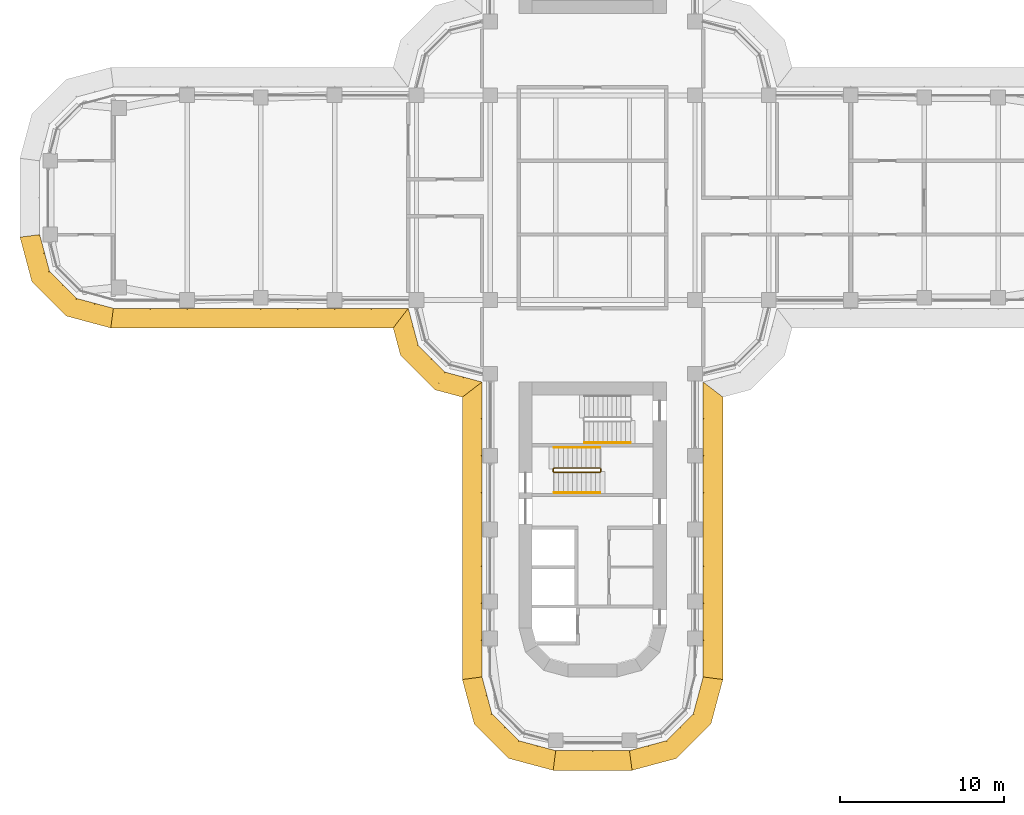
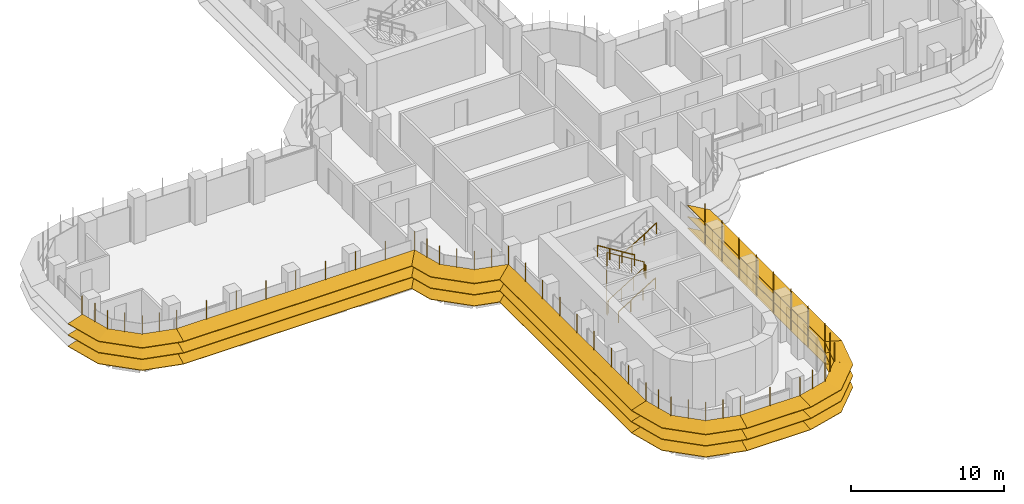
# One storey, part 19 of 22: 8 shading devices, 4 railings.
"""IFC4 building model written with IfcOpenShell, lengths in metres."""

import ifcopenshell
import ifcopenshell.guid

model = None  # the IFC model being written
_history = None  # IfcOwnerHistory: only IFC2X3 demands one
_inside = {}  # id of a spatial element -> (the spatial element, [elements in it])
_under = {}  # id of a project, library or spatial element -> (it, [spatial elements below it])
_declared = {}  # id of a project -> (the project, [libraries it declares])
_typed = {}  # id of a type object -> (the type object, [elements of that type])
_made_of = {}  # id of a material, layer set ... -> (it, [elements and type objects made of it])


def new_model(schema):
    """Start an empty IFC model of exactly this schema.

    Asked for "IFC4X3", IfcOpenShell would pick the latest addendum, in which some entities
    have other attributes; the version numbers below select the first issue.
    IFC2X3 requires an IfcOwnerHistory on every rooted entity: one is made here for all.
    """
    global model, _history
    if schema == "IFC4X3":
        model = ifcopenshell.file(schema_version=(4, 3, 0, 0))
    else:
        model = ifcopenshell.file(schema=schema)
    _inside.clear()
    _under.clear()
    _declared.clear()
    _typed.clear()
    _made_of.clear()
    _history = None
    if model.schema == "IFC2X3":
        org = make("IfcOrganization", Name="unknown")
        user = make(
            "IfcPersonAndOrganization",
            ThePerson=make("IfcPerson", FamilyName="unknown"),
            TheOrganization=org,
        )
        app = make(
            "IfcApplication",
            ApplicationDeveloper=org,
            Version="unknown",
            ApplicationFullName="unknown",
            ApplicationIdentifier="unknown",
        )
        _history = make(
            "IfcOwnerHistory",
            OwningUser=user,
            OwningApplication=app,
            ChangeAction="ADDED",
            CreationDate=0,
        )
    return model


def make(cls, **values):
    """One entity of the class cls with the attributes given. An attribute that is None is left unset."""
    return model.create_entity(
        cls, **{name: value for name, value in values.items() if value is not None}
    )


def rooted(cls, **values):
    """An entity with a GlobalId (a new one), such as an element, a storey or a relation."""
    return make(cls, GlobalId=ifcopenshell.guid.new(), OwnerHistory=_history, **values)


def si_unit(unit_type, name, prefix=None):
    """IfcSIUnit, for example si_unit("LENGTHUNIT", "METRE", prefix="MILLI")."""
    return make("IfcSIUnit", UnitType=unit_type, Prefix=prefix, Name=name)


def assignment(units):
    """IfcUnitAssignment: the units of a project."""
    return None if units is None else make("IfcUnitAssignment", Units=units)


def point(xyz):
    """IfcCartesianPoint."""
    return None if xyz is None else make("IfcCartesianPoint", Coordinates=xyz)


def direction(xyz):
    """IfcDirection."""
    return None if xyz is None else make("IfcDirection", DirectionRatios=xyz)


def frame(location, z_axis=None, x_axis=None):
    """IfcAxis2Placement3D, a coordinate frame: its origin and axes. An axis left out is left unset."""
    return make(
        "IfcAxis2Placement3D",
        Location=point(location),
        Axis=direction(z_axis),
        RefDirection=direction(x_axis),
    )


def frame_2d(location, x_axis=None):
    """IfcAxis2Placement2D, a coordinate frame in the plane: its origin and x axis."""
    return make(
        "IfcAxis2Placement2D", Location=point(location), RefDirection=direction(x_axis)
    )


def origin():
    """The frame at (0, 0, 0) with its axes left unset."""
    return frame((0.0, 0.0, 0.0))


def origin_2d():
    """The frame at (0, 0) in the plane with its x axis left unset."""
    return frame_2d((0.0, 0.0))


def place(relative_to, where):
    """IfcLocalPlacement: puts the frame where relative to a parent placement (None: the world)."""
    return make(
        "IfcLocalPlacement", PlacementRelTo=relative_to, RelativePlacement=where
    )


def context(
    kind, dimensions, precision=None, world=None, true_north=None, identifier=None
):
    """IfcGeometricRepresentationContext, for example the 3D "Model" context."""
    return make(
        "IfcGeometricRepresentationContext",
        ContextIdentifier=identifier,
        ContextType=kind,
        CoordinateSpaceDimension=dimensions,
        Precision=precision,
        WorldCoordinateSystem=world,
        TrueNorth=true_north,
    )


def subcontext(parent, identifier, kind, view, scale=None):
    """IfcGeometricRepresentationSubContext, for example "Body" below "Model"."""
    return make(
        "IfcGeometricRepresentationSubContext",
        ContextIdentifier=identifier,
        ContextType=kind,
        ParentContext=parent,
        TargetScale=scale,
        TargetView=view,
    )


def project(units=None, contexts=None):
    """IfcProject with its units and contexts."""
    return rooted(
        "IfcProject",
        Name="project",
        RepresentationContexts=contexts,
        UnitsInContext=assignment(units),
    )


def spatial(cls, under=None, at=None, **own):
    """A site, building, storey or space (cls), placed at a placement, below another one or the project."""
    s = rooted(cls, ObjectPlacement=at, **own)
    if under is not None:
        _under.setdefault(under.id(), (under, []))[1].append(s)
    return s


def polyline(points):
    """IfcPolyline through the points."""
    return make("IfcPolyline", Points=[point(p) for p in points])


def profile(cls, at=None, kind="AREA", **sizes):
    """A parametric profile (cls). Its sizes go by their IFC names, for example OverallWidth=200.0."""
    return make(cls, ProfileType=kind, Position=at, **sizes)


def circle(**sizes):
    """IfcCircleProfileDef."""
    return profile("IfcCircleProfileDef", **sizes)


def outline(outer, holes=None, kind="AREA"):
    """IfcArbitraryClosedProfileDef: a profile drawn as a closed curve; with holes, ...WithVoids."""
    if holes is None:
        return make("IfcArbitraryClosedProfileDef", ProfileType=kind, OuterCurve=outer)
    return make(
        "IfcArbitraryProfileDefWithVoids",
        ProfileType=kind,
        OuterCurve=outer,
        InnerCurves=holes,
    )


def extrude(swept, where, along, depth):
    """IfcExtrudedAreaSolid: the profile swept, set in the frame where, extruded along a direction by depth."""
    return make(
        "IfcExtrudedAreaSolid",
        SweptArea=swept,
        Position=where,
        ExtrudedDirection=direction(along),
        Depth=depth,
    )


def faces_of(points, faces, orient=None, outer=None):
    """IfcFace entities. A face is a list of loops; a loop is a list of indices into points, from 0.

    orient and outer hold one flag for each loop. By default every Orientation is true, the
    first loop of a face is its IfcFaceOuterBound and the others are IfcFaceBound.
    """
    made = []
    for i, loops in enumerate(faces):
        bounds = []
        for j, loop in enumerate(loops):
            is_outer = j == 0 if outer is None else outer[i][j]
            bounds.append(
                make(
                    "IfcFaceOuterBound" if is_outer else "IfcFaceBound",
                    Bound=make("IfcPolyLoop", Polygon=[points[k] for k in loop]),
                    Orientation=True if orient is None else orient[i][j],
                )
            )
        made.append(make("IfcFace", Bounds=bounds))
    return made


def faceted_brep(points, faces, orient=None, outer=None, voids=None):
    """IfcFacetedBrep: a solid bounded by flat faces; with voids (closed shells), ...WithVoids."""
    shared = [point(p) for p in points]
    hull = make("IfcClosedShell", CfsFaces=faces_of(shared, faces, orient, outer))
    if voids is None:
        return make("IfcFacetedBrep", Outer=hull)
    return make(
        "IfcFacetedBrepWithVoids",
        Outer=hull,
        Voids=[
            make(cls, CfsFaces=faces_of(shared, fs, o, b)) for cls, fs, o, b in voids
        ],
    )


def shape(context_of_items, identifier, shape_type, items):
    """IfcShapeRepresentation: the items that make up one representation, for example the "Body"."""
    return make(
        "IfcShapeRepresentation",
        ContextOfItems=context_of_items,
        RepresentationIdentifier=identifier,
        RepresentationType=shape_type,
        Items=items,
    )


def source(mapping_origin, context_of_items, identifier, shape_type, items):
    """IfcRepresentationMap: a shape defined once, which mapped items show again and again."""
    return make(
        "IfcRepresentationMap",
        MappingOrigin=mapping_origin,
        MappedRepresentation=shape(context_of_items, identifier, shape_type, items),
    )


def transform(
    local_origin,
    x_axis=None,
    y_axis=None,
    z_axis=None,
    scale=None,
    scale2=None,
    scale3=None,
    uniform=True,
):
    """IfcCartesianTransformationOperator3D, or its non-uniform kind. x_axis, y_axis, z_axis: its Axis1, 2, 3."""
    if uniform:
        return make(
            "IfcCartesianTransformationOperator3D",
            Axis1=direction(x_axis),
            Axis2=direction(y_axis),
            LocalOrigin=point(local_origin),
            Scale=scale,
            Axis3=direction(z_axis),
        )
    return make(
        "IfcCartesianTransformationOperator3DnonUniform",
        Axis1=direction(x_axis),
        Axis2=direction(y_axis),
        LocalOrigin=point(local_origin),
        Scale=scale,
        Axis3=direction(z_axis),
        Scale2=scale2,
        Scale3=scale3,
    )


def mapped(mapping_source, mapping_target):
    """IfcMappedItem: shows the shape of a source again, moved by a transform."""
    return make(
        "IfcMappedItem", MappingSource=mapping_source, MappingTarget=mapping_target
    )


def material(Name=None, Category=None):
    """IfcMaterial."""
    return make("IfcMaterial", Name=Name, Category=Category)


def made_of(thing, what):
    """Note that an element or type object is made of a material, layer set ...; save() writes the relation."""
    if what is not None:
        _made_of.setdefault(what.id(), (what, []))[1].append(thing)
    return thing


def type_object(cls, material=None, **own):
    """A type object (cls), such as IfcWallType, which elements share."""
    return made_of(rooted(cls, **own), material)


def element(
    cls,
    number,
    at=None,
    inside=None,
    cuts=None,
    type_object=None,
    material=None,
    context=None,
    identifier="Body",
    shape_type=None,
    held_by="IfcProductDefinitionShape",
    body=None,
    shapes=None,
    **own,
):
    """One element of the class cls, such as IfcWall. Its Tag is "e" and its number.

    at: its placement. inside: the storey or other place that contains it. cuts: it is an
    opening in that element (IfcRelVoidsElement). A single representation is given by context,
    identifier, shape_type and body (its items); several are given by shapes. held_by: the class
    of the entity that holds the representations. save() writes the other relations.
    """
    e = rooted(cls, Tag="e%d" % number, ObjectPlacement=at, **own)
    if body is not None:
        shapes = [shape(context, identifier, shape_type, body)]
    if shapes is not None:
        e.Representation = make(held_by, Representations=shapes)
    if inside is not None:
        _inside.setdefault(inside.id(), (inside, []))[1].append(e)
    if cuts is not None:
        rooted(
            "IfcRelVoidsElement", RelatingBuildingElement=cuts, RelatedOpeningElement=e
        )
    if type_object is not None:
        _typed.setdefault(type_object.id(), (type_object, []))[1].append(e)
    return made_of(e, material)


def aggregate(whole, parts):
    """IfcRelAggregates: a whole, such as a stair, and the parts it consists of."""
    return rooted("IfcRelAggregates", RelatingObject=whole, RelatedObjects=parts)


def save(model, path):
    """Write the relations noted so far, then the file.

    IfcRelAggregates (storeys below a building ...), IfcRelContainedInSpatialStructure (elements
    in a storey), IfcRelDefinesByType, IfcRelAssociatesMaterial and IfcRelDeclares: one each for
    every whole, place, type object, material and project.
    """
    for whole, parts in _under.values():
        aggregate(whole, parts)
    for where, things in _inside.values():
        rooted(
            "IfcRelContainedInSpatialStructure",
            RelatedElements=things,
            RelatingStructure=where,
        )
    for kind, things in _typed.values():
        rooted("IfcRelDefinesByType", RelatedObjects=things, RelatingType=kind)
    for what, things in _made_of.values():
        rooted("IfcRelAssociatesMaterial", RelatedObjects=things, RelatingMaterial=what)
    for by, libraries in _declared.values():
        rooted("IfcRelDeclares", RelatingContext=by, RelatedDefinitions=libraries)
    model.write(path)


model = new_model("IFC4")

# Units and contexts
model_context = context("Model", 3, precision=1e-05, world=origin(), true_north=direction((0.0, 1.0)))
body_context = subcontext(model_context, "Body", "Model", "MODEL_VIEW")
ifc_project = project(units=[si_unit("LENGTHUNIT", "METRE"), si_unit("AREAUNIT", "SQUARE_METRE"), si_unit("VOLUMEUNIT", "CUBIC_METRE"), si_unit("PLANEANGLEUNIT", "RADIAN"), si_unit("MASSUNIT", "GRAM", prefix="KILO")], contexts=[model_context])

# Site, building, storey
site_placement = place(None, origin())
site = spatial("IfcSite", under=ifc_project, at=site_placement, CompositionType="ELEMENT")
building_placement = place(site_placement, origin())
building = spatial("IfcBuilding", under=site, at=building_placement, Name="Zarbagh Exchange Tower", CompositionType="ELEMENT")
storey_placement = place(building_placement, frame((0.0, 0.0, 94.199951171875)))
storey = spatial("IfcBuildingStorey", under=building, at=storey_placement, Name="L21", CompositionType="ELEMENT", Elevation=94.199951171875)

# Railings
ifc_material_1 = material(Name="Stainless steel", Category="steel")
railing_type_1 = type_object("IfcRailingType", Name="Stair guard 1100 mm", PredefinedType="GUARDRAIL", material=ifc_material_1)
railing_1_placement = place(storey_placement, frame((0.449951171875, -16.5, 2.07275390625)))
element("IfcRailing", 1, at=railing_1_placement, inside=storey, type_object=railing_type_1, Name="ST3 stair guard 1", PredefinedType="GUARDRAIL", context=body_context, shape_type="SweptSolid", body=[
    extrude(circle(Radius=0.02392578125, at=origin_2d()), frame((0.0, 0.0, 1.076171875), z_axis=(-0.851089632645, 0.0, 0.525020415988), x_axis=(0.0, -1.0, 0.0)), (0.0, 0.0, 1.0), 3.2900390625),
    extrude(circle(Radius=0.02392578125, at=origin_2d()), frame((-2.800048828125, 0.0, 2.80322265625), z_axis=(-0.013104066473, -0.013168302093, -0.99982742474), x_axis=(0.708833529934, -0.705375805398, 0.0)), (0.0, 0.0, 1.0), 3.80078125),
    extrude(circle(Radius=0.02392578125, at=origin_2d()), frame((-2.849853515625, -0.050048828125, -0.99658203125), z_axis=(0.0, -1.0, 0.0), x_axis=(1.0, 0.0, 0.0)), (0.0, 0.0, 1.0), 0.14990234375),
    extrude(circle(Radius=0.02392578125, at=origin_2d()), frame((-2.849853515625, -0.199951171875, -0.99658203125), z_axis=(0.266739603011, -0.268047150085, 0.925743328097), x_axis=(0.708833529934, 0.705375805398, 0.0)), (0.0, 0.0, 1.0), 0.186767578125),
    extrude(circle(Radius=0.02392578125, at=origin_2d()), frame((-2.800048828125, -0.25, -0.82373046875), z_axis=(0.851089632645, 0.0, 0.525020415988), x_axis=(0.0, 1.0, 0.0)), (0.0, 0.0, 1.0), 3.2900390625),
    extrude(circle(Radius=0.02392578125, at=origin_2d()), frame((0.0, -0.25, 0.9033203125), z_axis=(0.707106781187, 0.707106781187, 0.0), x_axis=(-0.707106781187, 0.707106781187, 0.0)), (0.0, 0.0, 1.0), 0.07080078125),
    extrude(circle(Radius=0.02392578125, at=origin_2d()), frame((0.050048828125, -0.199951171875, 0.9033203125), z_axis=(0.0, 1.0, 0.0), x_axis=(-1.0, 0.0, 0.0)), (0.0, 0.0, 1.0), 0.14990234375),
    extrude(circle(Radius=0.02099609375, at=origin_2d()), origin(), (0.0, 0.0, 1.0), 1.052001953125),
    extrude(circle(Radius=0.02099609375, at=origin_2d()), frame((-0.933349609375, 0.0, 0.57568359375)), (0.0, 0.0, 1.0), 1.052001953125),
    extrude(circle(Radius=0.02099609375, at=origin_2d()), frame((-1.86669921875, 0.0, 1.151611328125)), (0.0, 0.0, 1.0), 1.052001953125),
    extrude(circle(Radius=0.02099609375, at=origin_2d()), frame((-2.800048828125, 0.0, 1.727294921875)), (0.0, 0.0, 1.0), 1.052001953125),
    extrude(circle(Radius=0.02099609375, at=origin_2d()), frame((-2.8125, -0.012451171875, 0.77734375)), (0.0, 0.0, 1.0), 1.052001953125),
    extrude(circle(Radius=0.02099609375, at=origin_2d()), frame((-2.824951171875, -0.02490234375, -0.1728515625)), (0.0, 0.0, 1.0), 1.052001953125),
    extrude(circle(Radius=0.02099609375, at=origin_2d()), frame((-2.83740234375, -0.03759765625, -1.122802734375)), (0.0, 0.0, 1.0), 1.052001953125),
    extrude(circle(Radius=0.02099609375, at=origin_2d()), frame((-2.849853515625, -0.050048828125, -2.07275390625)), (0.0, 0.0, 1.0), 1.052001953125),
    extrude(circle(Radius=0.02099609375, at=origin_2d()), frame((-2.849853515625, -0.199951171875, -2.07275390625)), (0.0, 0.0, 1.0), 1.052001953125),
    extrude(circle(Radius=0.02099609375, at=origin_2d()), frame((-2.800048828125, -0.25, -1.89990234375)), (0.0, 0.0, 1.0), 1.052001953125),
    extrude(circle(Radius=0.02099609375, at=origin_2d()), frame((-1.86669921875, -0.25, -1.32421875)), (0.0, 0.0, 1.0), 1.052001953125),
    extrude(circle(Radius=0.02099609375, at=origin_2d()), frame((-0.933349609375, -0.25, -0.748291015625)), (0.0, 0.0, 1.0), 1.052001953125),
    extrude(circle(Radius=0.02099609375, at=origin_2d()), frame((0.0, -0.25, -0.172607421875)), (0.0, 0.0, 1.0), 1.052001953125),
    extrude(circle(Radius=0.02099609375, at=origin_2d()), frame((0.050048828125, -0.199951171875, -0.172607421875)), (0.0, 0.0, 1.0), 1.052001953125),
    extrude(circle(Radius=0.02099609375, at=origin_2d()), frame((0.050048828125, -0.050048828125, -0.172607421875)), (0.0, 0.0, 1.0), 1.052001953125),
])
railing_type_2 = type_object("IfcRailingType", Name="Stair handrail 900 mm", PredefinedType="HANDRAIL", material=ifc_material_1)
railing_2_placement = place(storey_placement, frame((-2.35009765625, -18.0, 0.1728515625)))
element("IfcRailing", 2, at=railing_2_placement, inside=storey, type_object=railing_type_2, Name="ST3 stair handrail 1", PredefinedType="HANDRAIL", context=body_context, shape_type="SweptSolid", body=[
    extrude(circle(Radius=0.02392578125, at=origin_2d()), frame((0.0, 0.0, 0.8759765625), z_axis=(0.851089632645, 0.0, 0.525020415988), x_axis=(0.0, 1.0, 0.0)), (0.0, 0.0, 1.0), 3.2900390625),
    extrude(circle(Radius=0.02099609375, at=origin_2d()), origin(), (0.0, 0.0, 1.0), 0.851806640625),
    extrude(circle(Radius=0.02099609375, at=origin_2d()), frame((0.933349609375, 0.0, 0.57568359375)), (0.0, 0.0, 1.0), 0.851806640625),
    extrude(circle(Radius=0.02099609375, at=origin_2d()), frame((1.86669921875, 0.0, 1.151611328125)), (0.0, 0.0, 1.0), 0.851806640625),
    extrude(circle(Radius=0.02099609375, at=origin_2d()), frame((2.800048828125, 0.0, 1.727294921875)), (0.0, 0.0, 1.0), 0.851806640625),
])
railing_3_placement = place(storey_placement, frame((0.449951171875, -15.25, 2.07275390625)))
element("IfcRailing", 3, at=railing_3_placement, inside=storey, type_object=railing_type_2, Name="ST3 stair handrail 2", PredefinedType="HANDRAIL", context=body_context, shape_type="SweptSolid", body=[
    extrude(circle(Radius=0.02392578125, at=origin_2d()), frame((0.0, 0.0, 0.8759765625), z_axis=(-0.851089632645, 0.0, 0.525020415988), x_axis=(0.0, -1.0, 0.0)), (0.0, 0.0, 1.0), 3.2900390625),
    extrude(circle(Radius=0.02099609375, at=origin_2d()), origin(), (0.0, 0.0, 1.0), 0.851806640625),
    extrude(circle(Radius=0.02099609375, at=origin_2d()), frame((-0.933349609375, 0.0, 0.57568359375)), (0.0, 0.0, 1.0), 0.851806640625),
    extrude(circle(Radius=0.02099609375, at=origin_2d()), frame((-1.86669921875, 0.0, 1.151611328125)), (0.0, 0.0, 1.0), 0.851806640625),
    extrude(circle(Radius=0.02099609375, at=origin_2d()), frame((-2.800048828125, 0.0, 1.727294921875)), (0.0, 0.0, 1.0), 0.851806640625),
])
railing_4_placement = place(storey_placement, frame((-0.5, -14.949951171875, 2.07275390625)))
element("IfcRailing", 4, at=railing_4_placement, inside=storey, type_object=railing_type_2, Name="ST4 stair handrail 2", PredefinedType="HANDRAIL", context=body_context, shape_type="SweptSolid", body=[
    extrude(circle(Radius=0.02392578125, at=origin_2d()), frame((0.0, 0.0, 0.8759765625), z_axis=(0.851089632645, 0.0, 0.525020415988), x_axis=(0.0, 1.0, 0.0)), (0.0, 0.0, 1.0), 3.2900390625),
    extrude(circle(Radius=0.02099609375, at=origin_2d()), origin(), (0.0, 0.0, 1.0), 0.851806640625),
    extrude(circle(Radius=0.02099609375, at=origin_2d()), frame((0.933349609375, 0.0, 0.57568359375)), (0.0, 0.0, 1.0), 0.851806640625),
    extrude(circle(Radius=0.02099609375, at=origin_2d()), frame((1.86669921875, 0.0, 1.151611328125)), (0.0, 0.0, 1.0), 0.851806640625),
    extrude(circle(Radius=0.02099609375, at=origin_2d()), frame((2.800048828125, 0.0, 1.727294921875)), (0.0, 0.0, 1.0), 0.851806640625),
])

# Shading devices
ifc_material_2 = material(Name="Anodised aluminium blades and brackets", Category="aluminium")
shading_device_type = type_object("IfcShadingDeviceType", Name="SUNSHADE louvre band, 11.25 degree blades", PredefinedType="JALOUSIE", material=ifc_material_2)
shared_shape_1 = source(origin(), body_context, "Body", "Brep", [
    faceted_brep([(0.0, 0.0, 0.0), (0.0, 0.0, -0.040771484375), (-0.157958984375, -1.199951171875, -0.279541015625), (-0.157958984375, -1.199951171875, -0.23876953125), (2.65087890625, -1.199951171875, -0.23876953125), (2.65087890625, -1.199951171875, -0.279541015625), (2.329345703125, 0.0, -0.040771484375), (2.329345703125, 0.0, 0.0)], [[[0, 1, 2, 3]], [[4, 5, 6, 7]], [[0, 7, 6, 1]], [[1, 6, 5, 2]], [[2, 5, 4, 3]], [[3, 4, 7, 0]]]),
])
shared_shape_2 = source(origin(), body_context, "Body", "Brep", [
    faceted_brep([(0.0, 0.0, 0.0), (0.0, 0.0, -0.040771484375), (-0.321533203125, -1.199951171875, -0.279541015625), (-0.321533203125, -1.199951171875, -0.23876953125), (2.65087890625, -1.199951171875, -0.23876953125), (2.65087890625, -1.199951171875, -0.279541015625), (2.329345703125, 0.0, -0.040771484375), (2.329345703125, 0.0, 0.0)], [[[0, 1, 2, 3]], [[4, 5, 6, 7]], [[0, 7, 6, 1]], [[1, 6, 5, 2]], [[2, 5, 4, 3]], [[3, 4, 7, 0]]]),
])
shared_shape_3 = source(origin(), body_context, "Body", "Brep", [
    faceted_brep([(0.0, 0.0, 0.0), (0.0, 0.0, -0.040771484375), (-0.321533203125, -1.199951171875, -0.279541015625), (-0.321533203125, -1.199951171875, -0.23876953125), (2.4873046875, -1.199951171875, -0.23876953125), (2.4873046875, -1.199951171875, -0.279541015625), (2.329345703125, 0.0, -0.040771484375), (2.329345703125, 0.0, 0.0)], [[[0, 1, 2, 3]], [[4, 5, 6, 7]], [[0, 7, 6, 1]], [[1, 6, 5, 2]], [[2, 5, 4, 3]], [[3, 4, 7, 0]]]),
])
shared_shape_4 = source(origin(), body_context, "Body", "SweptSolid", [
    extrude(outline(polyline([(0.0, -0.012451171875), (0.06005859375, -0.012451171875), (0.06005859375, 0.012451171875), (0.0, 0.012451171875), (0.0, -0.012451171875)])), origin(), (0.0, 0.0, 1.0), 3.350830078125),
])
placement = place(storey_placement, origin())
element("IfcShadingDevice", 5, at=placement, inside=storey, type_object=shading_device_type, Name="SS01 sunshade band", PredefinedType="JALOUSIE", context=body_context, shape_type="MappedRepresentation", body=[
    mapped(shared_shape_1, transform((2.25, -33.75, 2.300048828125), x_axis=(0.965924289636, 0.258824779902, 0.0), y_axis=(-0.258824779902, 0.965924289636, 0.0), z_axis=(0.0, 0.0, 1.0))),
    mapped(shared_shape_1, transform((2.25, -33.75, 1.400146484375), x_axis=(0.965924289636, 0.258824779902, 0.0), y_axis=(-0.258824779902, 0.965924289636, 0.0), z_axis=(0.0, 0.0, 1.0))),
    mapped(shared_shape_1, transform((2.25, -33.75, 0.5), x_axis=(0.965924289636, 0.258824779902, 0.0), y_axis=(-0.258824779902, 0.965924289636, 0.0), z_axis=(0.0, 0.0, 1.0))),
    mapped(shared_shape_2, transform((4.5, -33.147216796875, 2.300048828125), x_axis=(0.707106781187, 0.707106781187, 0.0), y_axis=(-0.707106781187, 0.707106781187, 0.0), z_axis=(0.0, 0.0, 1.0))),
    mapped(shared_shape_2, transform((4.5, -33.147216796875, 1.400146484375), x_axis=(0.707106781187, 0.707106781187, 0.0), y_axis=(-0.707106781187, 0.707106781187, 0.0), z_axis=(0.0, 0.0, 1.0))),
    mapped(shared_shape_2, transform((4.5, -33.147216796875, 0.5), x_axis=(0.707106781187, 0.707106781187, 0.0), y_axis=(-0.707106781187, 0.707106781187, 0.0), z_axis=(0.0, 0.0, 1.0))),
    mapped(shared_shape_3, transform((6.147216796875, -31.5, 2.300048828125), x_axis=(0.258824779902, 0.965924289636, 0.0), y_axis=(-0.965924289636, 0.258824779902, 0.0), z_axis=(0.0, 0.0, 1.0))),
    mapped(shared_shape_3, transform((6.147216796875, -31.5, 1.400146484375), x_axis=(0.258824779902, 0.965924289636, 0.0), y_axis=(-0.965924289636, 0.258824779902, 0.0), z_axis=(0.0, 0.0, 1.0))),
    mapped(shared_shape_3, transform((6.147216796875, -31.5, 0.5), x_axis=(0.258824779902, 0.965924289636, 0.0), y_axis=(-0.965924289636, 0.258824779902, 0.0), z_axis=(0.0, 0.0, 1.0))),
    mapped(shared_shape_4, transform((2.25, -33.75, 0.42919921875), x_axis=(0.130529263012, -0.991444457092, 0.0), y_axis=(0.991444457092, 0.130529263012, 0.0), z_axis=(0.0, 0.0, 1.0))),
    mapped(shared_shape_4, transform((3.375, -33.448486328125, 0.42919921875), x_axis=(0.258825058029, -0.96592421511, 0.0), y_axis=(0.96592421511, 0.258825058029, 0.0), z_axis=(0.0, 0.0, 1.0))),
    mapped(shared_shape_4, transform((4.5, -33.147216796875, 0.42919921875), x_axis=(0.50000275701, -0.866023812018, 0.0), y_axis=(0.866023812018, 0.50000275701, 0.0), z_axis=(0.0, 0.0, 1.0))),
    mapped(shared_shape_4, transform((5.323486328125, -32.323486328125, 0.42919921875), x_axis=(0.707106781187, -0.707106781187, 0.0), y_axis=(0.707106781187, 0.707106781187, 0.0), z_axis=(0.0, 0.0, 1.0))),
    mapped(shared_shape_4, transform((6.147216796875, -31.5, 0.42919921875), x_axis=(0.866023812018, -0.50000275701, 0.0), y_axis=(0.50000275701, 0.866023812018, 0.0), z_axis=(0.0, 0.0, 1.0))),
    mapped(shared_shape_4, transform((6.448486328125, -30.375, 0.42919921875), x_axis=(0.96592421511, -0.258825058029, 0.0), y_axis=(0.258825058029, 0.96592421511, 0.0), z_axis=(0.0, 0.0, 1.0))),
])
element("IfcShadingDevice", 6, at=placement, inside=storey, type_object=shading_device_type, Name="SS19 sunshade band", PredefinedType="JALOUSIE", context=body_context, shape_type="MappedRepresentation", body=[
    mapped(shared_shape_1, transform((-33.75, -2.25, 2.300048828125), x_axis=(0.258824779902, -0.965924289636, 0.0), y_axis=(0.965924289636, 0.258824779902, 0.0), z_axis=(0.0, 0.0, 1.0))),
    mapped(shared_shape_1, transform((-33.75, -2.25, 1.400146484375), x_axis=(0.258824779902, -0.965924289636, 0.0), y_axis=(0.965924289636, 0.258824779902, 0.0), z_axis=(0.0, 0.0, 1.0))),
    mapped(shared_shape_1, transform((-33.75, -2.25, 0.5), x_axis=(0.258824779902, -0.965924289636, 0.0), y_axis=(0.965924289636, 0.258824779902, 0.0), z_axis=(0.0, 0.0, 1.0))),
    mapped(shared_shape_2, transform((-33.147216796875, -4.5, 2.300048828125), x_axis=(0.707106781187, -0.707106781187, 0.0), y_axis=(0.707106781187, 0.707106781187, 0.0), z_axis=(0.0, 0.0, 1.0))),
    mapped(shared_shape_2, transform((-33.147216796875, -4.5, 1.400146484375), x_axis=(0.707106781187, -0.707106781187, 0.0), y_axis=(0.707106781187, 0.707106781187, 0.0), z_axis=(0.0, 0.0, 1.0))),
    mapped(shared_shape_2, transform((-33.147216796875, -4.5, 0.5), x_axis=(0.707106781187, -0.707106781187, 0.0), y_axis=(0.707106781187, 0.707106781187, 0.0), z_axis=(0.0, 0.0, 1.0))),
    mapped(shared_shape_3, transform((-31.5, -6.147216796875, 2.300048828125), x_axis=(0.965924289636, -0.258824779902, 0.0), y_axis=(0.258824779902, 0.965924289636, 0.0), z_axis=(0.0, 0.0, 1.0))),
    mapped(shared_shape_3, transform((-31.5, -6.147216796875, 1.400146484375), x_axis=(0.965924289636, -0.258824779902, 0.0), y_axis=(0.258824779902, 0.965924289636, 0.0), z_axis=(0.0, 0.0, 1.0))),
    mapped(shared_shape_3, transform((-31.5, -6.147216796875, 0.5), x_axis=(0.965924289636, -0.258824779902, 0.0), y_axis=(0.258824779902, 0.965924289636, 0.0), z_axis=(0.0, 0.0, 1.0))),
    mapped(shared_shape_4, transform((-33.75, -2.25, 0.42919921875), x_axis=(-0.991444457092, -0.130529263012, 0.0), y_axis=(0.130529263012, -0.991444457092, 0.0), z_axis=(0.0, 0.0, 1.0))),
    mapped(shared_shape_4, transform((-33.448486328125, -3.375, 0.42919921875), x_axis=(-0.96592421511, -0.258825058029, 0.0), y_axis=(0.258825058029, -0.96592421511, 0.0), z_axis=(0.0, 0.0, 1.0))),
    mapped(shared_shape_4, transform((-33.147216796875, -4.5, 0.42919921875), x_axis=(-0.866023812018, -0.50000275701, 0.0), y_axis=(0.50000275701, -0.866023812018, 0.0), z_axis=(0.0, 0.0, 1.0))),
    mapped(shared_shape_4, transform((-32.323486328125, -5.323486328125, 0.42919921875), x_axis=(-0.707106781187, -0.707106781187, 0.0), y_axis=(0.707106781187, -0.707106781187, 0.0), z_axis=(0.0, 0.0, 1.0))),
    mapped(shared_shape_4, transform((-31.5, -6.147216796875, 0.42919921875), x_axis=(-0.50000275701, -0.866023812018, 0.0), y_axis=(0.866023812018, -0.50000275701, 0.0), z_axis=(0.0, 0.0, 1.0))),
    mapped(shared_shape_4, transform((-30.375, -6.448486328125, 0.42919921875), x_axis=(-0.258825058029, -0.96592421511, 0.0), y_axis=(0.96592421511, -0.258825058029, 0.0), z_axis=(0.0, 0.0, 1.0))),
])
element("IfcShadingDevice", 7, at=placement, inside=storey, type_object=shading_device_type, Name="SS23 sunshade band", PredefinedType="JALOUSIE", context=body_context, shape_type="MappedRepresentation", body=[
    mapped(shared_shape_1, transform((-6.75, -29.25, 2.300048828125), x_axis=(0.258824779902, -0.965924289636, 0.0), y_axis=(0.965924289636, 0.258824779902, 0.0), z_axis=(0.0, 0.0, 1.0))),
    mapped(shared_shape_1, transform((-6.75, -29.25, 1.400146484375), x_axis=(0.258824779902, -0.965924289636, 0.0), y_axis=(0.965924289636, 0.258824779902, 0.0), z_axis=(0.0, 0.0, 1.0))),
    mapped(shared_shape_1, transform((-6.75, -29.25, 0.5), x_axis=(0.258824779902, -0.965924289636, 0.0), y_axis=(0.965924289636, 0.258824779902, 0.0), z_axis=(0.0, 0.0, 1.0))),
    mapped(shared_shape_2, transform((-6.147216796875, -31.5, 2.300048828125), x_axis=(0.707106781187, -0.707106781187, 0.0), y_axis=(0.707106781187, 0.707106781187, 0.0), z_axis=(0.0, 0.0, 1.0))),
    mapped(shared_shape_2, transform((-6.147216796875, -31.5, 1.400146484375), x_axis=(0.707106781187, -0.707106781187, 0.0), y_axis=(0.707106781187, 0.707106781187, 0.0), z_axis=(0.0, 0.0, 1.0))),
    mapped(shared_shape_2, transform((-6.147216796875, -31.5, 0.5), x_axis=(0.707106781187, -0.707106781187, 0.0), y_axis=(0.707106781187, 0.707106781187, 0.0), z_axis=(0.0, 0.0, 1.0))),
    mapped(shared_shape_3, transform((-4.5, -33.147216796875, 2.300048828125), x_axis=(0.965924289636, -0.258824779902, 0.0), y_axis=(0.258824779902, 0.965924289636, 0.0), z_axis=(0.0, 0.0, 1.0))),
    mapped(shared_shape_3, transform((-4.5, -33.147216796875, 1.400146484375), x_axis=(0.965924289636, -0.258824779902, 0.0), y_axis=(0.258824779902, 0.965924289636, 0.0), z_axis=(0.0, 0.0, 1.0))),
    mapped(shared_shape_3, transform((-4.5, -33.147216796875, 0.5), x_axis=(0.965924289636, -0.258824779902, 0.0), y_axis=(0.258824779902, 0.965924289636, 0.0), z_axis=(0.0, 0.0, 1.0))),
    mapped(shared_shape_4, transform((-6.75, -29.25, 0.42919921875), x_axis=(-0.991444457092, -0.130529263012, 0.0), y_axis=(0.130529263012, -0.991444457092, 0.0), z_axis=(0.0, 0.0, 1.0))),
    mapped(shared_shape_4, transform((-6.448486328125, -30.375, 0.42919921875), x_axis=(-0.96592421511, -0.258825058029, 0.0), y_axis=(0.258825058029, -0.96592421511, 0.0), z_axis=(0.0, 0.0, 1.0))),
    mapped(shared_shape_4, transform((-6.147216796875, -31.5, 0.42919921875), x_axis=(-0.866023812018, -0.50000275701, 0.0), y_axis=(0.50000275701, -0.866023812018, 0.0), z_axis=(0.0, 0.0, 1.0))),
    mapped(shared_shape_4, transform((-5.323486328125, -32.323486328125, 0.42919921875), x_axis=(-0.707106781187, -0.707106781187, 0.0), y_axis=(0.707106781187, -0.707106781187, 0.0), z_axis=(0.0, 0.0, 1.0))),
    mapped(shared_shape_4, transform((-4.5, -33.147216796875, 0.42919921875), x_axis=(-0.50000275701, -0.866023812018, 0.0), y_axis=(0.866023812018, -0.50000275701, 0.0), z_axis=(0.0, 0.0, 1.0))),
    mapped(shared_shape_4, transform((-3.375, -33.448486328125, 0.42919921875), x_axis=(-0.258825058029, -0.96592421511, 0.0), y_axis=(0.96592421511, -0.258825058029, 0.0), z_axis=(0.0, 0.0, 1.0))),
])
shared_shape_5 = source(origin(), body_context, "Body", "Brep", [
    faceted_brep([(0.0, 0.0, 0.0), (0.0, 0.0, -0.040771484375), (0.9208984375, -1.199951171875, -0.279541015625), (0.9208984375, -1.199951171875, -0.23876953125), (2.65087890625, -1.199951171875, -0.23876953125), (2.65087890625, -1.199951171875, -0.279541015625), (2.329345703125, 0.0, -0.040771484375), (2.329345703125, 0.0, 0.0)], [[[0, 1, 2, 3]], [[4, 5, 6, 7]], [[0, 7, 6, 1]], [[1, 6, 5, 2]], [[2, 5, 4, 3]], [[3, 4, 7, 0]]]),
])
shared_shape_6 = source(origin(), body_context, "Body", "Brep", [
    faceted_brep([(0.0, 0.0, 0.0), (0.0, 0.0, -0.040771484375), (-0.321533203125, -1.199951171875, -0.279541015625), (-0.321533203125, -1.199951171875, -0.23876953125), (1.40869140625, -1.199951171875, -0.23876953125), (1.40869140625, -1.199951171875, -0.279541015625), (2.329345703125, 0.0, -0.040771484375), (2.329345703125, 0.0, 0.0)], [[[0, 1, 2, 3]], [[4, 5, 6, 7]], [[0, 7, 6, 1]], [[1, 6, 5, 2]], [[2, 5, 4, 3]], [[3, 4, 7, 0]]]),
])
element("IfcShadingDevice", 8, at=placement, inside=storey, type_object=shading_device_type, Name="SS21 sunshade band", PredefinedType="JALOUSIE", context=body_context, shape_type="MappedRepresentation", body=[
    mapped(shared_shape_5, transform((-11.25, -6.75, 2.300048828125), x_axis=(0.258824779902, -0.965924289636, 0.0), y_axis=(0.965924289636, 0.258824779902, 0.0), z_axis=(0.0, 0.0, 1.0))),
    mapped(shared_shape_5, transform((-11.25, -6.75, 1.400146484375), x_axis=(0.258824779902, -0.965924289636, 0.0), y_axis=(0.965924289636, 0.258824779902, 0.0), z_axis=(0.0, 0.0, 1.0))),
    mapped(shared_shape_5, transform((-11.25, -6.75, 0.5), x_axis=(0.258824779902, -0.965924289636, 0.0), y_axis=(0.965924289636, 0.258824779902, 0.0), z_axis=(0.0, 0.0, 1.0))),
    mapped(shared_shape_2, transform((-10.647216796875, -9.0, 2.300048828125), x_axis=(0.707106781187, -0.707106781187, 0.0), y_axis=(0.707106781187, 0.707106781187, 0.0), z_axis=(0.0, 0.0, 1.0))),
    mapped(shared_shape_2, transform((-10.647216796875, -9.0, 1.400146484375), x_axis=(0.707106781187, -0.707106781187, 0.0), y_axis=(0.707106781187, 0.707106781187, 0.0), z_axis=(0.0, 0.0, 1.0))),
    mapped(shared_shape_2, transform((-10.647216796875, -9.0, 0.5), x_axis=(0.707106781187, -0.707106781187, 0.0), y_axis=(0.707106781187, 0.707106781187, 0.0), z_axis=(0.0, 0.0, 1.0))),
    mapped(shared_shape_6, transform((-9.0, -10.647216796875, 2.300048828125), x_axis=(0.965924289636, -0.258824779902, 0.0), y_axis=(0.258824779902, 0.965924289636, 0.0), z_axis=(0.0, 0.0, 1.0))),
    mapped(shared_shape_6, transform((-9.0, -10.647216796875, 1.400146484375), x_axis=(0.965924289636, -0.258824779902, 0.0), y_axis=(0.258824779902, 0.965924289636, 0.0), z_axis=(0.0, 0.0, 1.0))),
    mapped(shared_shape_6, transform((-9.0, -10.647216796875, 0.5), x_axis=(0.965924289636, -0.258824779902, 0.0), y_axis=(0.258824779902, 0.965924289636, 0.0), z_axis=(0.0, 0.0, 1.0))),
    mapped(shared_shape_4, transform((-11.25, -6.75, 0.42919921875), x_axis=(-0.608758892, -0.793355287, 0.0), y_axis=(0.793355287, -0.608758892, 0.0), z_axis=(0.0, 0.0, 1.0))),
    mapped(shared_shape_4, transform((-10.948486328125, -7.875, 0.42919921875), x_axis=(-0.96592421511, -0.258825058029, 0.0), y_axis=(0.258825058029, -0.96592421511, 0.0), z_axis=(0.0, 0.0, 1.0))),
    mapped(shared_shape_4, transform((-10.647216796875, -9.0, 0.42919921875), x_axis=(-0.866023812018, -0.50000275701, 0.0), y_axis=(0.50000275701, -0.866023812018, 0.0), z_axis=(0.0, 0.0, 1.0))),
    mapped(shared_shape_4, transform((-9.823486328125, -9.823486328125, 0.42919921875), x_axis=(-0.707106781187, -0.707106781187, 0.0), y_axis=(0.707106781187, -0.707106781187, 0.0), z_axis=(0.0, 0.0, 1.0))),
    mapped(shared_shape_4, transform((-9.0, -10.647216796875, 0.42919921875), x_axis=(-0.50000275701, -0.866023812018, 0.0), y_axis=(0.866023812018, -0.50000275701, 0.0), z_axis=(0.0, 0.0, 1.0))),
    mapped(shared_shape_4, transform((-7.875, -10.948486328125, 0.42919921875), x_axis=(-0.258825058029, -0.96592421511, 0.0), y_axis=(0.96592421511, -0.258825058029, 0.0), z_axis=(0.0, 0.0, 1.0))),
])
shared_shape_7 = source(origin(), body_context, "Body", "Brep", [
    faceted_brep([(0.0, 0.0, 0.0), (0.0, 0.0, -0.040771484375), (-0.157958984375, -1.199951171875, -0.279541015625), (-0.157958984375, -1.199951171875, -0.23876953125), (17.0791015625, -1.199951171875, -0.23876953125), (17.0791015625, -1.199951171875, -0.279541015625), (18.0, 0.0, -0.040771484375), (18.0, 0.0, 0.0)], [[[0, 1, 2, 3]], [[4, 5, 6, 7]], [[0, 7, 6, 1]], [[1, 6, 5, 2]], [[2, 5, 4, 3]], [[3, 4, 7, 0]]]),
])
element("IfcShadingDevice", 9, at=placement, inside=storey, type_object=shading_device_type, Name="SS02 sunshade band", PredefinedType="JALOUSIE", context=body_context, shape_type="MappedRepresentation", body=[
    mapped(shared_shape_7, transform((6.75, -29.25, 2.300048828125), x_axis=(0.0, 1.0, 0.0), y_axis=(-1.0, 0.0, 0.0), z_axis=(0.0, 0.0, 1.0))),
    mapped(shared_shape_7, transform((6.75, -29.25, 1.400146484375), x_axis=(0.0, 1.0, 0.0), y_axis=(-1.0, 0.0, 0.0), z_axis=(0.0, 0.0, 1.0))),
    mapped(shared_shape_7, transform((6.75, -29.25, 0.5), x_axis=(0.0, 1.0, 0.0), y_axis=(-1.0, 0.0, 0.0), z_axis=(0.0, 0.0, 1.0))),
    mapped(shared_shape_4, transform((6.75, -29.25, 0.42919921875), x_axis=(0.991444457092, -0.130529263012, 0.0), y_axis=(0.130529263012, 0.991444457092, 0.0), z_axis=(0.0, 0.0, 1.0))),
    mapped(shared_shape_4, transform((6.75, -27.0, 0.42919921875), x_axis=(1.0, 0.0, 0.0), y_axis=(0.0, 1.0, 0.0), z_axis=(0.0, 0.0, 1.0))),
    mapped(shared_shape_4, transform((6.75, -24.75, 0.42919921875), x_axis=(1.0, 0.0, 0.0), y_axis=(0.0, 1.0, 0.0), z_axis=(0.0, 0.0, 1.0))),
    mapped(shared_shape_4, transform((6.75, -22.5, 0.42919921875), x_axis=(1.0, 0.0, 0.0), y_axis=(0.0, 1.0, 0.0), z_axis=(0.0, 0.0, 1.0))),
    mapped(shared_shape_4, transform((6.75, -20.25, 0.42919921875), x_axis=(1.0, 0.0, 0.0), y_axis=(0.0, 1.0, 0.0), z_axis=(0.0, 0.0, 1.0))),
    mapped(shared_shape_4, transform((6.75, -18.0, 0.42919921875), x_axis=(1.0, 0.0, 0.0), y_axis=(0.0, 1.0, 0.0), z_axis=(0.0, 0.0, 1.0))),
    mapped(shared_shape_4, transform((6.75, -15.75, 0.42919921875), x_axis=(1.0, 0.0, 0.0), y_axis=(0.0, 1.0, 0.0), z_axis=(0.0, 0.0, 1.0))),
    mapped(shared_shape_4, transform((6.75, -13.5, 0.42919921875), x_axis=(1.0, 0.0, 0.0), y_axis=(0.0, 1.0, 0.0), z_axis=(0.0, 0.0, 1.0))),
])
element("IfcShadingDevice", 10, at=placement, inside=storey, type_object=shading_device_type, Name="SS20 sunshade band", PredefinedType="JALOUSIE", context=body_context, shape_type="MappedRepresentation", body=[
    mapped(shared_shape_7, transform((-29.25, -6.75, 2.300048828125), x_axis=(1.0, 0.0, 0.0), y_axis=(0.0, 1.0, 0.0), z_axis=(0.0, 0.0, 1.0))),
    mapped(shared_shape_7, transform((-29.25, -6.75, 1.400146484375), x_axis=(1.0, 0.0, 0.0), y_axis=(0.0, 1.0, 0.0), z_axis=(0.0, 0.0, 1.0))),
    mapped(shared_shape_7, transform((-29.25, -6.75, 0.5), x_axis=(1.0, 0.0, 0.0), y_axis=(0.0, 1.0, 0.0), z_axis=(0.0, 0.0, 1.0))),
    mapped(shared_shape_4, transform((-29.25, -6.75, 0.42919921875), x_axis=(-0.130529263012, -0.991444457092, 0.0), y_axis=(0.991444457092, -0.130529263012, 0.0), z_axis=(0.0, 0.0, 1.0))),
    mapped(shared_shape_4, transform((-27.0, -6.75, 0.42919921875), x_axis=(0.0, -1.0, 0.0), y_axis=(1.0, 0.0, 0.0), z_axis=(0.0, 0.0, 1.0))),
    mapped(shared_shape_4, transform((-24.75, -6.75, 0.42919921875), x_axis=(0.0, -1.0, 0.0), y_axis=(1.0, 0.0, 0.0), z_axis=(0.0, 0.0, 1.0))),
    mapped(shared_shape_4, transform((-22.5, -6.75, 0.42919921875), x_axis=(0.0, -1.0, 0.0), y_axis=(1.0, 0.0, 0.0), z_axis=(0.0, 0.0, 1.0))),
    mapped(shared_shape_4, transform((-20.25, -6.75, 0.42919921875), x_axis=(0.0, -1.0, 0.0), y_axis=(1.0, 0.0, 0.0), z_axis=(0.0, 0.0, 1.0))),
    mapped(shared_shape_4, transform((-18.0, -6.75, 0.42919921875), x_axis=(0.0, -1.0, 0.0), y_axis=(1.0, 0.0, 0.0), z_axis=(0.0, 0.0, 1.0))),
    mapped(shared_shape_4, transform((-15.75, -6.75, 0.42919921875), x_axis=(0.0, -1.0, 0.0), y_axis=(1.0, 0.0, 0.0), z_axis=(0.0, 0.0, 1.0))),
    mapped(shared_shape_4, transform((-13.5, -6.75, 0.42919921875), x_axis=(0.0, -1.0, 0.0), y_axis=(1.0, 0.0, 0.0), z_axis=(0.0, 0.0, 1.0))),
])
shared_shape_8 = source(origin(), body_context, "Body", "Brep", [
    faceted_brep([(0.0, 0.0, 0.0), (0.0, 0.0, -0.040771484375), (0.9208984375, -1.199951171875, -0.279541015625), (0.9208984375, -1.199951171875, -0.23876953125), (18.157958984375, -1.199951171875, -0.23876953125), (18.157958984375, -1.199951171875, -0.279541015625), (18.0, 0.0, -0.040771484375), (18.0, 0.0, 0.0)], [[[0, 1, 2, 3]], [[4, 5, 6, 7]], [[0, 7, 6, 1]], [[1, 6, 5, 2]], [[2, 5, 4, 3]], [[3, 4, 7, 0]]]),
])
element("IfcShadingDevice", 11, at=placement, inside=storey, type_object=shading_device_type, Name="SS22 sunshade band", PredefinedType="JALOUSIE", context=body_context, shape_type="MappedRepresentation", body=[
    mapped(shared_shape_8, transform((-6.75, -11.25, 2.300048828125), x_axis=(0.0, -1.0, 0.0), y_axis=(1.0, 0.0, 0.0), z_axis=(0.0, 0.0, 1.0))),
    mapped(shared_shape_8, transform((-6.75, -11.25, 1.400146484375), x_axis=(0.0, -1.0, 0.0), y_axis=(1.0, 0.0, 0.0), z_axis=(0.0, 0.0, 1.0))),
    mapped(shared_shape_8, transform((-6.75, -11.25, 0.5), x_axis=(0.0, -1.0, 0.0), y_axis=(1.0, 0.0, 0.0), z_axis=(0.0, 0.0, 1.0))),
    mapped(shared_shape_4, transform((-6.75, -11.25, 0.42919921875), x_axis=(-0.793355287, -0.608758892, 0.0), y_axis=(0.608758892, -0.793355287, 0.0), z_axis=(0.0, 0.0, 1.0))),
    mapped(shared_shape_4, transform((-6.75, -13.5, 0.42919921875), x_axis=(-1.0, 0.0, 0.0), y_axis=(0.0, -1.0, 0.0), z_axis=(0.0, 0.0, 1.0))),
    mapped(shared_shape_4, transform((-6.75, -15.75, 0.42919921875), x_axis=(-1.0, 0.0, 0.0), y_axis=(0.0, -1.0, 0.0), z_axis=(0.0, 0.0, 1.0))),
    mapped(shared_shape_4, transform((-6.75, -18.0, 0.42919921875), x_axis=(-1.0, 0.0, 0.0), y_axis=(0.0, -1.0, 0.0), z_axis=(0.0, 0.0, 1.0))),
    mapped(shared_shape_4, transform((-6.75, -20.25, 0.42919921875), x_axis=(-1.0, 0.0, 0.0), y_axis=(0.0, -1.0, 0.0), z_axis=(0.0, 0.0, 1.0))),
    mapped(shared_shape_4, transform((-6.75, -22.5, 0.42919921875), x_axis=(-1.0, 0.0, 0.0), y_axis=(0.0, -1.0, 0.0), z_axis=(0.0, 0.0, 1.0))),
    mapped(shared_shape_4, transform((-6.75, -24.75, 0.42919921875), x_axis=(-1.0, 0.0, 0.0), y_axis=(0.0, -1.0, 0.0), z_axis=(0.0, 0.0, 1.0))),
    mapped(shared_shape_4, transform((-6.75, -27.0, 0.42919921875), x_axis=(-1.0, 0.0, 0.0), y_axis=(0.0, -1.0, 0.0), z_axis=(0.0, 0.0, 1.0))),
])
shared_shape_9 = source(origin(), body_context, "Body", "Brep", [
    faceted_brep([(0.0, 0.0, 0.0), (0.0, 0.0, -0.040771484375), (-0.157958984375, -1.199951171875, -0.279541015625), (-0.157958984375, -1.199951171875, -0.23876953125), (4.657958984375, -1.199951171875, -0.23876953125), (4.657958984375, -1.199951171875, -0.279541015625), (4.5, 0.0, -0.040771484375), (4.5, 0.0, 0.0)], [[[0, 1, 2, 3]], [[4, 5, 6, 7]], [[0, 7, 6, 1]], [[1, 6, 5, 2]], [[2, 5, 4, 3]], [[3, 4, 7, 0]]]),
])
element("IfcShadingDevice", 12, at=placement, inside=storey, type_object=shading_device_type, Name="SS24 sunshade band", PredefinedType="JALOUSIE", context=body_context, shape_type="MappedRepresentation", body=[
    mapped(shared_shape_9, transform((-2.25, -33.75, 2.300048828125), x_axis=(1.0, 0.0, 0.0), y_axis=(0.0, 1.0, 0.0), z_axis=(0.0, 0.0, 1.0))),
    mapped(shared_shape_9, transform((-2.25, -33.75, 1.400146484375), x_axis=(1.0, 0.0, 0.0), y_axis=(0.0, 1.0, 0.0), z_axis=(0.0, 0.0, 1.0))),
    mapped(shared_shape_9, transform((-2.25, -33.75, 0.5), x_axis=(1.0, 0.0, 0.0), y_axis=(0.0, 1.0, 0.0), z_axis=(0.0, 0.0, 1.0))),
    mapped(shared_shape_4, transform((-2.25, -33.75, 0.42919921875), x_axis=(-0.130529263012, -0.991444457092, 0.0), y_axis=(0.991444457092, -0.130529263012, 0.0), z_axis=(0.0, 0.0, 1.0))),
    mapped(shared_shape_4, transform((0.0, -33.75, 0.42919921875), x_axis=(0.0, -1.0, 0.0), y_axis=(1.0, 0.0, 0.0), z_axis=(0.0, 0.0, 1.0))),
])

save(model, "model.ifc")
